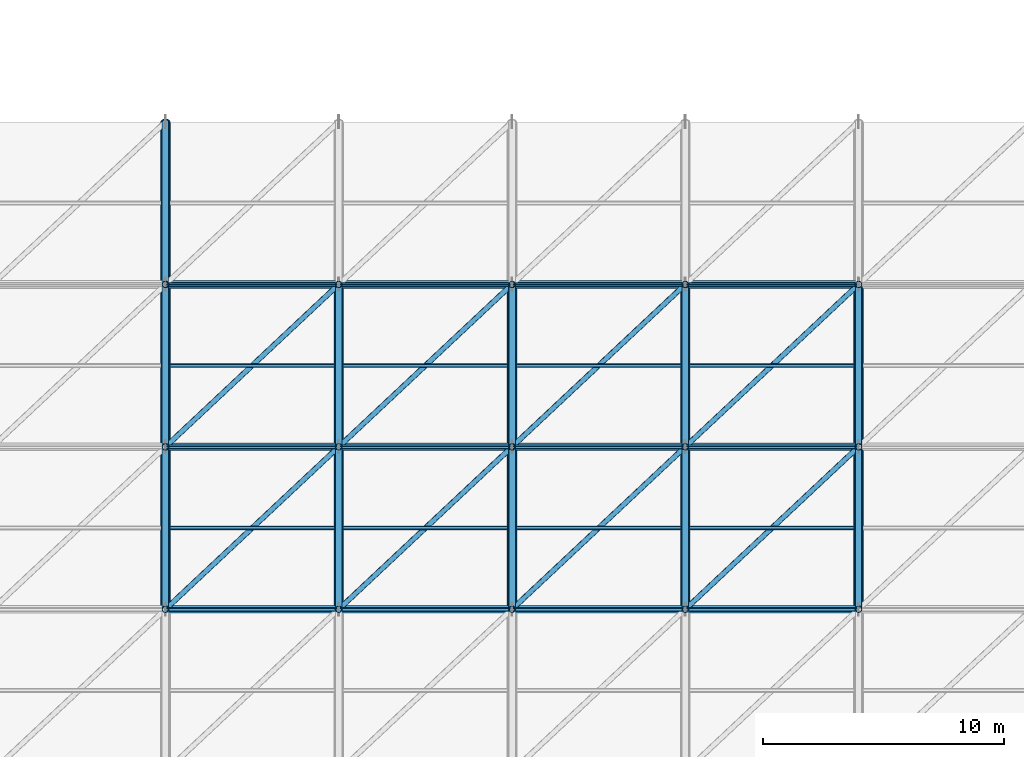
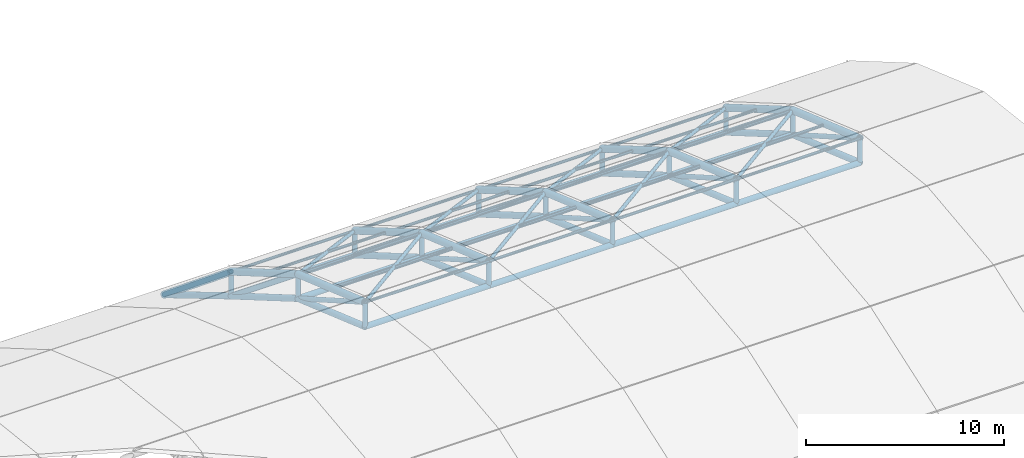
# One storey, part 11 of 72: 77 members, 11 beams.
"""IFC4 building model written with IfcOpenShell, lengths in metres."""

from ifc_helpers import new_model, si_unit, direction, frame, origin, origin_2d, place, context, subcontext, project, spatial, hollow_circle, extrude, material, material_profile, profile_set, type_object, element, save


model = new_model("IFC4")

# Units and contexts
model_context = context("Model", 3, precision=1e-05, world=origin(), true_north=direction((0.0, 1.0)))
body_context = subcontext(model_context, "Body", "Model", "MODEL_VIEW")
ifc_project = project(units=[si_unit("LENGTHUNIT", "METRE"), si_unit("AREAUNIT", "SQUARE_METRE"), si_unit("VOLUMEUNIT", "CUBIC_METRE"), si_unit("PLANEANGLEUNIT", "RADIAN"), si_unit("MASSUNIT", "GRAM", prefix="KILO")], contexts=[model_context])

# Site, building, storey
site_placement = place(None, origin())
site = spatial("IfcSite", under=ifc_project, at=site_placement, CompositionType="ELEMENT")
building_placement = place(site_placement, origin())
building = spatial("IfcBuilding", under=site, at=building_placement, Name="Vaelcorin Mobility Hub", CompositionType="ELEMENT")
storey_placement = place(building_placement, frame((0.0, 0.0, 25.800048828125)))
storey = spatial("IfcBuildingStorey", under=building, at=storey_placement, Name="RF", CompositionType="ELEMENT", Elevation=25.800048828125)

# Members
ifc_material = material(Name="Steel ASTM A500 Grade C", Category="steel")
ifc_material_profile_1 = material_profile(ifc_material, hollow_circle(Radius=0.161865234375, WallThickness=0.0126953125, at=origin_2d()), Name="HSS12.750X0.500")
ifc_profile_set_1 = profile_set([ifc_material_profile_1], Name="Steel ASTM A500 Grade C")
member_type_1 = type_object("IfcMemberType", Name="SF-CHORD-12", PredefinedType="CHORD", material=ifc_profile_set_1)
for number, where, z_axis, x_axis, name in (
    (1, (72.0, 39.75, -9.488037109375), (1.0, 0.0, 0.0), (0.0, 1.0, 0.0), "Space Frame Lower Longitudinal Chord 6-5"),
    (2, (72.0, 46.5, -11.85009765625), (1.0, 0.0, 0.0), (0.0, 1.0, 0.0), "Space Frame Lower Longitudinal Chord 6-6"),
    (3, (72.0, 53.25, -15.7880859375), (1.0, 0.0, 0.0), (0.0, 1.0, 0.0), "Space Frame Lower Longitudinal Chord 6-7"),
    (4, (79.199951171875, 39.75, -9.488037109375), (1.0, 0.0, 0.0), (0.0, 1.0, 0.0), "Space Frame Lower Longitudinal Chord 7-5"),
    (5, (79.199951171875, 46.5, -11.85009765625), (1.0, 0.0, 0.0), (0.0, 1.0, 0.0), "Space Frame Lower Longitudinal Chord 7-6"),
    (6, (79.199951171875, 53.25, -15.7880859375), (1.0, 0.0, 0.0), (0.0, 1.0, 0.0), "Space Frame Lower Longitudinal Chord 7-7"),
):
    element("IfcMember", number, at=place(storey_placement, frame(where, z_axis=z_axis, x_axis=x_axis)), inside=storey, type_object=member_type_1, Name=name, PredefinedType="CHORD", context=body_context, shape_type="SweptSolid", body=[
        extrude(hollow_circle(Radius=0.161865234375, WallThickness=0.0126953125, at=origin_2d()), origin(), (0.0, 0.0, 1.0), 7.199951171875),
    ])
for number, where, z_axis, x_axis, name in (
    (7, (86.39990234375, 39.75, -9.488037109375), (1.0, 0.0, 0.0), (0.0, 1.0, 0.0), "Space Frame Lower Longitudinal Chord 8-5"),
    (8, (86.39990234375, 46.5, -11.85009765625), (1.0, 0.0, 0.0), (0.0, 1.0, 0.0), "Space Frame Lower Longitudinal Chord 8-6"),
    (9, (86.39990234375, 53.25, -15.7880859375), (1.0, 0.0, 0.0), (0.0, 1.0, 0.0), "Space Frame Lower Longitudinal Chord 8-7"),
):
    element("IfcMember", number, at=place(storey_placement, frame(where, z_axis=z_axis, x_axis=x_axis)), inside=storey, type_object=member_type_1, Name=name, PredefinedType="CHORD", context=body_context, shape_type="SweptSolid", body=[
        extrude(hollow_circle(Radius=0.161865234375, WallThickness=0.0126953125, at=origin_2d()), origin(), (0.0, 0.0, 1.0), 7.2001953125),
    ])
for number, where, z_axis, x_axis, name in (
    (10, (93.60009765625, 39.75, -9.488037109375), (1.0, 0.0, 0.0), (0.0, 1.0, 0.0), "Space Frame Lower Longitudinal Chord 9-5"),
    (11, (93.60009765625, 46.5, -11.85009765625), (1.0, 0.0, 0.0), (0.0, 1.0, 0.0), "Space Frame Lower Longitudinal Chord 9-6"),
    (12, (93.60009765625, 53.25, -15.7880859375), (1.0, 0.0, 0.0), (0.0, 1.0, 0.0), "Space Frame Lower Longitudinal Chord 9-7"),
):
    element("IfcMember", number, at=place(storey_placement, frame(where, z_axis=z_axis, x_axis=x_axis)), inside=storey, type_object=member_type_1, Name=name, PredefinedType="CHORD", context=body_context, shape_type="SweptSolid", body=[
        extrude(hollow_circle(Radius=0.161865234375, WallThickness=0.0126953125, at=origin_2d()), origin(), (0.0, 0.0, 1.0), 7.199951171875),
    ])
ifc_material_profile_2 = material_profile(ifc_material, hollow_circle(Radius=0.177734375, WallThickness=0.0126953125, at=origin_2d()), Name="HSS14.000X0.500")
ifc_profile_set_2 = profile_set([ifc_material_profile_2], Name="Steel ASTM A500 Grade C")
member_type_2 = type_object("IfcMemberType", Name="SF-CHORD-14", PredefinedType="CHORD", material=ifc_profile_set_2)
member_1_placement = place(storey_placement, frame((72.0, 39.75, -9.488037109375), z_axis=(0.0, 0.943877515247, -0.330295679977), x_axis=(-1.0, 0.0, 0.0)))
element("IfcMember", 13, at=member_1_placement, inside=storey, type_object=member_type_2, Name="Space Frame Roof Truss Lower Chord 6-6", PredefinedType="CHORD", context=body_context, shape_type="SweptSolid", body=[
    extrude(hollow_circle(Radius=0.177734375, WallThickness=0.0126953125, at=origin_2d()), origin(), (0.0, 0.0, 1.0), 7.1513671875),
])
member_2_placement = place(storey_placement, frame((72.0, 46.5, -11.85009765625), z_axis=(0.0, 0.863751705385, -0.503917643514), x_axis=(-1.0, 0.0, 0.0)))
element("IfcMember", 14, at=member_2_placement, inside=storey, type_object=member_type_2, Name="Space Frame Roof Truss Lower Chord 6-7", PredefinedType="CHORD", context=body_context, shape_type="SweptSolid", body=[
    extrude(hollow_circle(Radius=0.177734375, WallThickness=0.0126953125, at=origin_2d()), origin(), (0.0, 0.0, 1.0), 7.814697265625),
])
member_3_placement = place(storey_placement, frame((72.0, 53.25, -15.7880859375), z_axis=(0.0, 0.859622623593, -0.510929491229), x_axis=(-1.0, 0.0, 0.0)))
element("IfcMember", 15, at=member_3_placement, inside=storey, type_object=member_type_2, Name="Space Frame Roof Truss Lower Chord 6-8", PredefinedType="CHORD", context=body_context, shape_type="SweptSolid", body=[
    extrude(hollow_circle(Radius=0.177734375, WallThickness=0.0126953125, at=origin_2d()), origin(), (0.0, 0.0, 1.0), 7.852294921875),
])
member_4_placement = place(storey_placement, frame((79.199951171875, 39.75, -9.488037109375), z_axis=(0.0, 0.943877515247, -0.330295679977), x_axis=(-1.0, 0.0, 0.0)))
element("IfcMember", 16, at=member_4_placement, inside=storey, type_object=member_type_2, Name="Space Frame Roof Truss Lower Chord 7-6", PredefinedType="CHORD", context=body_context, shape_type="SweptSolid", body=[
    extrude(hollow_circle(Radius=0.177734375, WallThickness=0.0126953125, at=origin_2d()), origin(), (0.0, 0.0, 1.0), 7.1513671875),
])
member_5_placement = place(storey_placement, frame((79.199951171875, 46.5, -11.85009765625), z_axis=(0.0, 0.863751705385, -0.503917643514), x_axis=(-1.0, 0.0, 0.0)))
element("IfcMember", 17, at=member_5_placement, inside=storey, type_object=member_type_2, Name="Space Frame Roof Truss Lower Chord 7-7", PredefinedType="CHORD", context=body_context, shape_type="SweptSolid", body=[
    extrude(hollow_circle(Radius=0.177734375, WallThickness=0.0126953125, at=origin_2d()), origin(), (0.0, 0.0, 1.0), 7.814697265625),
])
member_6_placement = place(storey_placement, frame((86.39990234375, 39.75, -9.488037109375), z_axis=(0.0, 0.943877515247, -0.330295679977), x_axis=(-1.0, 0.0, 0.0)))
element("IfcMember", 18, at=member_6_placement, inside=storey, type_object=member_type_2, Name="Space Frame Roof Truss Lower Chord 8-6", PredefinedType="CHORD", context=body_context, shape_type="SweptSolid", body=[
    extrude(hollow_circle(Radius=0.177734375, WallThickness=0.0126953125, at=origin_2d()), origin(), (0.0, 0.0, 1.0), 7.1513671875),
])
member_7_placement = place(storey_placement, frame((86.39990234375, 46.5, -11.85009765625), z_axis=(0.0, 0.863751705385, -0.503917643514), x_axis=(-1.0, 0.0, 0.0)))
element("IfcMember", 19, at=member_7_placement, inside=storey, type_object=member_type_2, Name="Space Frame Roof Truss Lower Chord 8-7", PredefinedType="CHORD", context=body_context, shape_type="SweptSolid", body=[
    extrude(hollow_circle(Radius=0.177734375, WallThickness=0.0126953125, at=origin_2d()), origin(), (0.0, 0.0, 1.0), 7.814697265625),
])
member_8_placement = place(storey_placement, frame((93.60009765625, 39.75, -9.488037109375), z_axis=(0.0, 0.943877515247, -0.330295679977), x_axis=(-1.0, 0.0, 0.0)))
element("IfcMember", 20, at=member_8_placement, inside=storey, type_object=member_type_2, Name="Space Frame Roof Truss Lower Chord 9-6", PredefinedType="CHORD", context=body_context, shape_type="SweptSolid", body=[
    extrude(hollow_circle(Radius=0.177734375, WallThickness=0.0126953125, at=origin_2d()), origin(), (0.0, 0.0, 1.0), 7.1513671875),
])
member_9_placement = place(storey_placement, frame((93.60009765625, 46.5, -11.85009765625), z_axis=(0.0, 0.863751705385, -0.503917643514), x_axis=(-1.0, 0.0, 0.0)))
element("IfcMember", 21, at=member_9_placement, inside=storey, type_object=member_type_2, Name="Space Frame Roof Truss Lower Chord 9-7", PredefinedType="CHORD", context=body_context, shape_type="SweptSolid", body=[
    extrude(hollow_circle(Radius=0.177734375, WallThickness=0.0126953125, at=origin_2d()), origin(), (0.0, 0.0, 1.0), 7.814697265625),
])
member_10_placement = place(storey_placement, frame((100.800048828125, 39.75, -9.488037109375), z_axis=(0.0, 0.943877515247, -0.330295679977), x_axis=(-1.0, 0.0, 0.0)))
element("IfcMember", 22, at=member_10_placement, inside=storey, type_object=member_type_2, Name="Space Frame Roof Truss Lower Chord 10-6", PredefinedType="CHORD", context=body_context, shape_type="SweptSolid", body=[
    extrude(hollow_circle(Radius=0.177734375, WallThickness=0.0126953125, at=origin_2d()), origin(), (0.0, 0.0, 1.0), 7.1513671875),
])
member_11_placement = place(storey_placement, frame((100.800048828125, 46.5, -11.85009765625), z_axis=(0.0, 0.863751705385, -0.503917643514), x_axis=(-1.0, 0.0, 0.0)))
element("IfcMember", 23, at=member_11_placement, inside=storey, type_object=member_type_2, Name="Space Frame Roof Truss Lower Chord 10-7", PredefinedType="CHORD", context=body_context, shape_type="SweptSolid", body=[
    extrude(hollow_circle(Radius=0.177734375, WallThickness=0.0126953125, at=origin_2d()), origin(), (0.0, 0.0, 1.0), 7.814697265625),
])
ifc_material_profile_3 = material_profile(ifc_material, hollow_circle(Radius=0.136474609375, WallThickness=0.0126953125, at=origin_2d()), Name="HSS10.750X0.500")
ifc_profile_set_3 = profile_set([ifc_material_profile_3], Name="Steel ASTM A500 Grade C")
member_type_3 = type_object("IfcMemberType", Name="SF-DIAG-10", PredefinedType="BRACE", material=ifc_profile_set_3)
member_12_placement = place(storey_placement, frame((72.0, 39.75, -7.988037109375), z_axis=(0.0, 0.867970611296, -0.496615563516), x_axis=(-1.0, 0.0, 0.0)))
element("IfcMember", 24, at=member_12_placement, inside=storey, type_object=member_type_3, Name="Space Frame Roof Truss Web Diagonal 6-6", PredefinedType="BRACE", context=body_context, shape_type="SweptSolid", body=[
    extrude(hollow_circle(Radius=0.136474609375, WallThickness=0.0126953125, at=origin_2d()), origin(), (0.0, 0.0, 1.0), 7.77685546875),
])
member_13_placement = place(storey_placement, frame((72.0, 46.5, -10.35009765625), z_axis=(0.0, 0.778726388415, -0.627363699926), x_axis=(-1.0, 0.0, 0.0)))
element("IfcMember", 25, at=member_13_placement, inside=storey, type_object=member_type_3, Name="Space Frame Roof Truss Web Diagonal 6-7", PredefinedType="BRACE", context=body_context, shape_type="SweptSolid", body=[
    extrude(hollow_circle(Radius=0.136474609375, WallThickness=0.0126953125, at=origin_2d()), origin(), (0.0, 0.0, 1.0), 8.66796875),
])
member_14_placement = place(storey_placement, frame((72.0, 53.25, -14.2880859375), z_axis=(0.0, 0.774562321982, -0.632497596332), x_axis=(-1.0, 0.0, 0.0)))
element("IfcMember", 26, at=member_14_placement, inside=storey, type_object=member_type_3, Name="Space Frame Roof Truss Web Diagonal 6-8", PredefinedType="BRACE", context=body_context, shape_type="SweptSolid", body=[
    extrude(hollow_circle(Radius=0.136474609375, WallThickness=0.0126953125, at=origin_2d()), origin(), (0.0, 0.0, 1.0), 8.714599609375),
])
member_15_placement = place(storey_placement, frame((79.199951171875, 39.75, -7.988037109375), z_axis=(0.0, 0.867970611296, -0.496615563516), x_axis=(-1.0, 0.0, 0.0)))
element("IfcMember", 27, at=member_15_placement, inside=storey, type_object=member_type_3, Name="Space Frame Roof Truss Web Diagonal 7-6", PredefinedType="BRACE", context=body_context, shape_type="SweptSolid", body=[
    extrude(hollow_circle(Radius=0.136474609375, WallThickness=0.0126953125, at=origin_2d()), origin(), (0.0, 0.0, 1.0), 7.77685546875),
])
member_16_placement = place(storey_placement, frame((79.199951171875, 46.5, -10.35009765625), z_axis=(0.0, 0.778726388415, -0.627363699926), x_axis=(-1.0, 0.0, 0.0)))
element("IfcMember", 28, at=member_16_placement, inside=storey, type_object=member_type_3, Name="Space Frame Roof Truss Web Diagonal 7-7", PredefinedType="BRACE", context=body_context, shape_type="SweptSolid", body=[
    extrude(hollow_circle(Radius=0.136474609375, WallThickness=0.0126953125, at=origin_2d()), origin(), (0.0, 0.0, 1.0), 8.66796875),
])
member_17_placement = place(storey_placement, frame((86.39990234375, 39.75, -7.988037109375), z_axis=(0.0, 0.867970611296, -0.496615563516), x_axis=(-1.0, 0.0, 0.0)))
element("IfcMember", 29, at=member_17_placement, inside=storey, type_object=member_type_3, Name="Space Frame Roof Truss Web Diagonal 8-6", PredefinedType="BRACE", context=body_context, shape_type="SweptSolid", body=[
    extrude(hollow_circle(Radius=0.136474609375, WallThickness=0.0126953125, at=origin_2d()), origin(), (0.0, 0.0, 1.0), 7.77685546875),
])
member_18_placement = place(storey_placement, frame((86.39990234375, 46.5, -10.35009765625), z_axis=(0.0, 0.778726388415, -0.627363699926), x_axis=(-1.0, 0.0, 0.0)))
element("IfcMember", 30, at=member_18_placement, inside=storey, type_object=member_type_3, Name="Space Frame Roof Truss Web Diagonal 8-7", PredefinedType="BRACE", context=body_context, shape_type="SweptSolid", body=[
    extrude(hollow_circle(Radius=0.136474609375, WallThickness=0.0126953125, at=origin_2d()), origin(), (0.0, 0.0, 1.0), 8.66796875),
])
member_19_placement = place(storey_placement, frame((93.60009765625, 39.75, -7.988037109375), z_axis=(0.0, 0.867970611296, -0.496615563516), x_axis=(-1.0, 0.0, 0.0)))
element("IfcMember", 31, at=member_19_placement, inside=storey, type_object=member_type_3, Name="Space Frame Roof Truss Web Diagonal 9-6", PredefinedType="BRACE", context=body_context, shape_type="SweptSolid", body=[
    extrude(hollow_circle(Radius=0.136474609375, WallThickness=0.0126953125, at=origin_2d()), origin(), (0.0, 0.0, 1.0), 7.77685546875),
])
member_20_placement = place(storey_placement, frame((93.60009765625, 46.5, -10.35009765625), z_axis=(0.0, 0.778726388415, -0.627363699926), x_axis=(-1.0, 0.0, 0.0)))
element("IfcMember", 32, at=member_20_placement, inside=storey, type_object=member_type_3, Name="Space Frame Roof Truss Web Diagonal 9-7", PredefinedType="BRACE", context=body_context, shape_type="SweptSolid", body=[
    extrude(hollow_circle(Radius=0.136474609375, WallThickness=0.0126953125, at=origin_2d()), origin(), (0.0, 0.0, 1.0), 8.66796875),
])
member_21_placement = place(storey_placement, frame((100.800048828125, 39.75, -7.988037109375), z_axis=(0.0, 0.867970611296, -0.496615563516), x_axis=(-1.0, 0.0, 0.0)))
element("IfcMember", 33, at=member_21_placement, inside=storey, type_object=member_type_3, Name="Space Frame Roof Truss Web Diagonal 10-6", PredefinedType="BRACE", context=body_context, shape_type="SweptSolid", body=[
    extrude(hollow_circle(Radius=0.136474609375, WallThickness=0.0126953125, at=origin_2d()), origin(), (0.0, 0.0, 1.0), 7.77685546875),
])
member_22_placement = place(storey_placement, frame((100.800048828125, 46.5, -10.35009765625), z_axis=(0.0, 0.778726388415, -0.627363699926), x_axis=(-1.0, 0.0, 0.0)))
element("IfcMember", 34, at=member_22_placement, inside=storey, type_object=member_type_3, Name="Space Frame Roof Truss Web Diagonal 10-7", PredefinedType="BRACE", context=body_context, shape_type="SweptSolid", body=[
    extrude(hollow_circle(Radius=0.136474609375, WallThickness=0.0126953125, at=origin_2d()), origin(), (0.0, 0.0, 1.0), 8.66796875),
])
ifc_material_profile_4 = material_profile(ifc_material, hollow_circle(Radius=0.109619140625, WallThickness=0.009521484375, at=origin_2d()), Name="HSS8.625X0.375")
ifc_profile_set_4 = profile_set([ifc_material_profile_4], Name="Steel ASTM A500 Grade C")
member_type_4 = type_object("IfcMemberType", Name="SF-DIAG-8", PredefinedType="BRACE", material=ifc_profile_set_4)
member_23_placement = place(storey_placement, frame((72.0, 39.75, -7.988037109375), z_axis=(0.709497274068, 0.665158205331, -0.232762067295), x_axis=(-0.683943597489, 0.729534889813, 0.0)))
element("IfcMember", 35, at=member_23_placement, inside=storey, type_object=member_type_4, Name="Space Frame Bracing Diagonal 6-6", PredefinedType="BRACE", context=body_context, shape_type="SweptSolid", body=[
    extrude(hollow_circle(Radius=0.109619140625, WallThickness=0.009521484375, at=origin_2d()), origin(), (0.0, 0.0, 1.0), 10.14794921875),
])
member_24_placement = place(storey_placement, frame((72.0, 46.5, -10.35009765625), z_axis=(0.677585674596, 0.635240877937, -0.370603130828), x_axis=(-0.683943597489, 0.729534889813, 0.0)))
element("IfcMember", 36, at=member_24_placement, inside=storey, type_object=member_type_4, Name="Space Frame Bracing Diagonal 6-7", PredefinedType="BRACE", context=body_context, shape_type="SweptSolid", body=[
    extrude(hollow_circle(Radius=0.109619140625, WallThickness=0.009521484375, at=origin_2d()), origin(), (0.0, 0.0, 1.0), 10.6259765625),
])
member_25_placement = place(storey_placement, frame((79.199951171875, 39.75, -7.988037109375), z_axis=(0.709497274068, 0.665158205331, -0.232762067295), x_axis=(-0.683943597489, 0.729534889813, 0.0)))
element("IfcMember", 37, at=member_25_placement, inside=storey, type_object=member_type_4, Name="Space Frame Bracing Diagonal 7-6", PredefinedType="BRACE", context=body_context, shape_type="SweptSolid", body=[
    extrude(hollow_circle(Radius=0.109619140625, WallThickness=0.009521484375, at=origin_2d()), origin(), (0.0, 0.0, 1.0), 10.14794921875),
])
member_26_placement = place(storey_placement, frame((79.199951171875, 46.5, -10.35009765625), z_axis=(0.677585674596, 0.635240877937, -0.370603130828), x_axis=(-0.683943597489, 0.729534889813, 0.0)))
element("IfcMember", 38, at=member_26_placement, inside=storey, type_object=member_type_4, Name="Space Frame Bracing Diagonal 7-7", PredefinedType="BRACE", context=body_context, shape_type="SweptSolid", body=[
    extrude(hollow_circle(Radius=0.109619140625, WallThickness=0.009521484375, at=origin_2d()), origin(), (0.0, 0.0, 1.0), 10.6259765625),
])
member_27_placement = place(storey_placement, frame((86.39990234375, 39.75, -7.988037109375), z_axis=(0.709509221339, 0.665146851742, -0.232758094278), x_axis=(-0.683931254551, 0.729546461199, 0.0)))
element("IfcMember", 39, at=member_27_placement, inside=storey, type_object=member_type_4, Name="Space Frame Bracing Diagonal 8-6", PredefinedType="BRACE", context=body_context, shape_type="SweptSolid", body=[
    extrude(hollow_circle(Radius=0.109619140625, WallThickness=0.009521484375, at=origin_2d()), origin(), (0.0, 0.0, 1.0), 10.148193359375),
])
member_28_placement = place(storey_placement, frame((86.39990234375, 46.5, -10.35009765625), z_axis=(0.67759810152, 0.635230988431, -0.370597361234), x_axis=(-0.683931254551, 0.729546461199, 0.0)))
element("IfcMember", 40, at=member_28_placement, inside=storey, type_object=member_type_4, Name="Space Frame Bracing Diagonal 8-7", PredefinedType="BRACE", context=body_context, shape_type="SweptSolid", body=[
    extrude(hollow_circle(Radius=0.109619140625, WallThickness=0.009521484375, at=origin_2d()), origin(), (0.0, 0.0, 1.0), 10.6259765625),
])
member_29_placement = place(storey_placement, frame((93.60009765625, 39.75, -7.988037109375), z_axis=(0.709497274068, 0.665158205331, -0.232762067295), x_axis=(-0.683943597489, 0.729534889813, 0.0)))
element("IfcMember", 41, at=member_29_placement, inside=storey, type_object=member_type_4, Name="Space Frame Bracing Diagonal 9-6", PredefinedType="BRACE", context=body_context, shape_type="SweptSolid", body=[
    extrude(hollow_circle(Radius=0.109619140625, WallThickness=0.009521484375, at=origin_2d()), origin(), (0.0, 0.0, 1.0), 10.14794921875),
])
member_30_placement = place(storey_placement, frame((93.60009765625, 46.5, -10.35009765625), z_axis=(0.677585674596, 0.635240877937, -0.370603130828), x_axis=(-0.683943597489, 0.729534889813, 0.0)))
element("IfcMember", 42, at=member_30_placement, inside=storey, type_object=member_type_4, Name="Space Frame Bracing Diagonal 9-7", PredefinedType="BRACE", context=body_context, shape_type="SweptSolid", body=[
    extrude(hollow_circle(Radius=0.109619140625, WallThickness=0.009521484375, at=origin_2d()), origin(), (0.0, 0.0, 1.0), 10.6259765625),
])
ifc_material_profile_5 = material_profile(ifc_material, hollow_circle(Radius=0.136474609375, WallThickness=0.0126953125, at=origin_2d()), Name="HSS10.750X0.500")
ifc_profile_set_5 = profile_set([ifc_material_profile_5], Name="Steel ASTM A500 Grade C")
member_type_5 = type_object("IfcMemberType", Name="SF-POST-10", PredefinedType="POST", material=ifc_profile_set_5)
for number, where, z_axis, x_axis, name in (
    (43, (72.0, 39.75, -9.488037109375), (0.0, 0.0, 1.0), (1.0, 0.0, 0.0), "Space Frame Roof Truss Post 6-5"),
    (44, (72.0, 46.5, -11.85009765625), (0.0, 0.0, 1.0), (1.0, 0.0, 0.0), "Space Frame Roof Truss Post 6-6"),
    (45, (72.0, 53.25, -15.7880859375), (0.0, 0.0, 1.0), (1.0, 0.0, 0.0), "Space Frame Roof Truss Post 6-7"),
    (46, (79.199951171875, 39.75, -9.488037109375), (0.0, 0.0, 1.0), (1.0, 0.0, 0.0), "Space Frame Roof Truss Post 7-5"),
    (47, (79.199951171875, 46.5, -11.85009765625), (0.0, 0.0, 1.0), (1.0, 0.0, 0.0), "Space Frame Roof Truss Post 7-6"),
    (48, (79.199951171875, 53.25, -15.7880859375), (0.0, 0.0, 1.0), (1.0, 0.0, 0.0), "Space Frame Roof Truss Post 7-7"),
    (49, (86.39990234375, 39.75, -9.488037109375), (0.0, 0.0, 1.0), (1.0, 0.0, 0.0), "Space Frame Roof Truss Post 8-5"),
    (50, (86.39990234375, 46.5, -11.85009765625), (0.0, 0.0, 1.0), (1.0, 0.0, 0.0), "Space Frame Roof Truss Post 8-6"),
    (51, (86.39990234375, 53.25, -15.7880859375), (0.0, 0.0, 1.0), (1.0, 0.0, 0.0), "Space Frame Roof Truss Post 8-7"),
    (52, (93.60009765625, 39.75, -9.488037109375), (0.0, 0.0, 1.0), (1.0, 0.0, 0.0), "Space Frame Roof Truss Post 9-5"),
    (53, (93.60009765625, 46.5, -11.85009765625), (0.0, 0.0, 1.0), (1.0, 0.0, 0.0), "Space Frame Roof Truss Post 9-6"),
    (54, (93.60009765625, 53.25, -15.7880859375), (0.0, 0.0, 1.0), (1.0, 0.0, 0.0), "Space Frame Roof Truss Post 9-7"),
    (55, (100.800048828125, 39.75, -9.488037109375), (0.0, 0.0, 1.0), (1.0, 0.0, 0.0), "Space Frame Roof Truss Post 10-5"),
    (56, (100.800048828125, 46.5, -11.85009765625), (0.0, 0.0, 1.0), (1.0, 0.0, 0.0), "Space Frame Roof Truss Post 10-6"),
    (57, (100.800048828125, 53.25, -15.7880859375), (0.0, 0.0, 1.0), (1.0, 0.0, 0.0), "Space Frame Roof Truss Post 10-7"),
):
    element("IfcMember", number, at=place(storey_placement, frame(where, z_axis=z_axis, x_axis=x_axis)), inside=storey, type_object=member_type_5, Name=name, PredefinedType="POST", context=body_context, shape_type="SweptSolid", body=[
        extrude(hollow_circle(Radius=0.136474609375, WallThickness=0.0126953125, at=origin_2d()), origin(), (0.0, 0.0, 1.0), 1.5),
    ])
ifc_material_profile_6 = material_profile(ifc_material, hollow_circle(Radius=0.084228515625, WallThickness=0.0078125, at=origin_2d()), Name="HSS6.625X0.312")
ifc_profile_set_6 = profile_set([ifc_material_profile_6], Name="Steel ASTM A500 Grade C")
member_type_6 = type_object("IfcMemberType", Name="SF-PURL-6", PredefinedType="PURLIN", material=ifc_profile_set_6)
for number, where, z_axis, x_axis, name in (
    (58, (72.0, 39.75, -7.988037109375), (1.0, 0.0, 0.0), (0.0, 1.0, 0.0), "Space Frame Longitudinal Chord 6-5"),
    (59, (72.0, 46.5, -10.35009765625), (1.0, 0.0, 0.0), (0.0, 1.0, 0.0), "Space Frame Longitudinal Chord 6-6"),
    (60, (72.0, 53.25, -14.2880859375), (1.0, 0.0, 0.0), (0.0, 1.0, 0.0), "Space Frame Longitudinal Chord 6-7"),
):
    element("IfcMember", number, at=place(storey_placement, frame(where, z_axis=z_axis, x_axis=x_axis)), inside=storey, type_object=member_type_6, Name=name, PredefinedType="PURLIN", context=body_context, shape_type="SweptSolid", body=[
        extrude(hollow_circle(Radius=0.084228515625, WallThickness=0.0078125, at=origin_2d()), origin(), (0.0, 0.0, 1.0), 7.199951171875),
    ])
for number, where, z_axis, x_axis, name in (
    (61, (72.179931640625, 43.125, -9.1689453125), (1.0, 0.0, 0.0), (0.0, 1.0, 0.0), "Space Frame Secondary Purlin 6-6"),
    (62, (72.179931640625, 49.875, -12.319091796875), (1.0, 0.0, 0.0), (0.0, 1.0, 0.0), "Space Frame Secondary Purlin 6-7"),
):
    element("IfcMember", number, at=place(storey_placement, frame(where, z_axis=z_axis, x_axis=x_axis)), inside=storey, type_object=member_type_6, Name=name, PredefinedType="PURLIN", context=body_context, shape_type="SweptSolid", body=[
        extrude(hollow_circle(Radius=0.084228515625, WallThickness=0.0078125, at=origin_2d()), origin(), (0.0, 0.0, 1.0), 6.840087890625),
    ])
for number, where, z_axis, x_axis, name in (
    (63, (79.199951171875, 39.75, -7.988037109375), (1.0, 0.0, 0.0), (0.0, 1.0, 0.0), "Space Frame Longitudinal Chord 7-5"),
    (64, (79.199951171875, 46.5, -10.35009765625), (1.0, 0.0, 0.0), (0.0, 1.0, 0.0), "Space Frame Longitudinal Chord 7-6"),
    (65, (79.199951171875, 53.25, -14.2880859375), (1.0, 0.0, 0.0), (0.0, 1.0, 0.0), "Space Frame Longitudinal Chord 7-7"),
):
    element("IfcMember", number, at=place(storey_placement, frame(where, z_axis=z_axis, x_axis=x_axis)), inside=storey, type_object=member_type_6, Name=name, PredefinedType="PURLIN", context=body_context, shape_type="SweptSolid", body=[
        extrude(hollow_circle(Radius=0.084228515625, WallThickness=0.0078125, at=origin_2d()), origin(), (0.0, 0.0, 1.0), 7.199951171875),
    ])
for number, where, z_axis, x_axis, name in (
    (66, (79.3798828125, 43.125, -9.1689453125), (1.0, 0.0, 0.0), (0.0, 1.0, 0.0), "Space Frame Secondary Purlin 7-6"),
    (67, (79.3798828125, 49.875, -12.319091796875), (1.0, 0.0, 0.0), (0.0, 1.0, 0.0), "Space Frame Secondary Purlin 7-7"),
):
    element("IfcMember", number, at=place(storey_placement, frame(where, z_axis=z_axis, x_axis=x_axis)), inside=storey, type_object=member_type_6, Name=name, PredefinedType="PURLIN", context=body_context, shape_type="SweptSolid", body=[
        extrude(hollow_circle(Radius=0.084228515625, WallThickness=0.0078125, at=origin_2d()), origin(), (0.0, 0.0, 1.0), 6.840087890625),
    ])
for number, where, z_axis, x_axis, name in (
    (68, (86.39990234375, 39.75, -7.988037109375), (1.0, 0.0, 0.0), (0.0, 1.0, 0.0), "Space Frame Longitudinal Chord 8-5"),
    (69, (86.39990234375, 46.5, -10.35009765625), (1.0, 0.0, 0.0), (0.0, 1.0, 0.0), "Space Frame Longitudinal Chord 8-6"),
    (70, (86.39990234375, 53.25, -14.2880859375), (1.0, 0.0, 0.0), (0.0, 1.0, 0.0), "Space Frame Longitudinal Chord 8-7"),
):
    element("IfcMember", number, at=place(storey_placement, frame(where, z_axis=z_axis, x_axis=x_axis)), inside=storey, type_object=member_type_6, Name=name, PredefinedType="PURLIN", context=body_context, shape_type="SweptSolid", body=[
        extrude(hollow_circle(Radius=0.084228515625, WallThickness=0.0078125, at=origin_2d()), origin(), (0.0, 0.0, 1.0), 7.2001953125),
    ])
for number, where, z_axis, x_axis, name in (
    (71, (86.580078125, 43.125, -9.1689453125), (1.0, 0.0, 0.0), (0.0, 1.0, 0.0), "Space Frame Secondary Purlin 8-6"),
    (72, (86.580078125, 49.875, -12.319091796875), (1.0, 0.0, 0.0), (0.0, 1.0, 0.0), "Space Frame Secondary Purlin 8-7"),
):
    element("IfcMember", number, at=place(storey_placement, frame(where, z_axis=z_axis, x_axis=x_axis)), inside=storey, type_object=member_type_6, Name=name, PredefinedType="PURLIN", context=body_context, shape_type="SweptSolid", body=[
        extrude(hollow_circle(Radius=0.084228515625, WallThickness=0.0078125, at=origin_2d()), origin(), (0.0, 0.0, 1.0), 6.83984375),
    ])
for number, where, z_axis, x_axis, name in (
    (73, (93.60009765625, 39.75, -7.988037109375), (1.0, 0.0, 0.0), (0.0, 1.0, 0.0), "Space Frame Longitudinal Chord 9-5"),
    (74, (93.60009765625, 46.5, -10.35009765625), (1.0, 0.0, 0.0), (0.0, 1.0, 0.0), "Space Frame Longitudinal Chord 9-6"),
    (75, (93.60009765625, 53.25, -14.2880859375), (1.0, 0.0, 0.0), (0.0, 1.0, 0.0), "Space Frame Longitudinal Chord 9-7"),
):
    element("IfcMember", number, at=place(storey_placement, frame(where, z_axis=z_axis, x_axis=x_axis)), inside=storey, type_object=member_type_6, Name=name, PredefinedType="PURLIN", context=body_context, shape_type="SweptSolid", body=[
        extrude(hollow_circle(Radius=0.084228515625, WallThickness=0.0078125, at=origin_2d()), origin(), (0.0, 0.0, 1.0), 7.199951171875),
    ])
for number, where, z_axis, x_axis, name in (
    (76, (93.780029296875, 43.125, -9.1689453125), (1.0, 0.0, 0.0), (0.0, 1.0, 0.0), "Space Frame Secondary Purlin 9-6"),
    (77, (93.780029296875, 49.875, -12.319091796875), (1.0, 0.0, 0.0), (0.0, 1.0, 0.0), "Space Frame Secondary Purlin 9-7"),
):
    element("IfcMember", number, at=place(storey_placement, frame(where, z_axis=z_axis, x_axis=x_axis)), inside=storey, type_object=member_type_6, Name=name, PredefinedType="PURLIN", context=body_context, shape_type="SweptSolid", body=[
        extrude(hollow_circle(Radius=0.084228515625, WallThickness=0.0078125, at=origin_2d()), origin(), (0.0, 0.0, 1.0), 6.840087890625),
    ])

# Beams
ifc_material_profile_7 = material_profile(ifc_material, hollow_circle(Radius=0.203125, WallThickness=0.015869140625, at=origin_2d()), Name="HSS16.000X0.625")
ifc_profile_set_7 = profile_set([ifc_material_profile_7], Name="Steel ASTM A500 Grade C")
beam_type = type_object("IfcBeamType", Name="TR-CHORD-16", PredefinedType="BEAM", material=ifc_profile_set_7)
beam_1_placement = place(storey_placement, frame((72.0, 39.75, -7.988037109375), z_axis=(0.0, 0.943877515247, -0.330295679977), x_axis=(-1.0, 0.0, 0.0)))
element("IfcBeam", 78, at=beam_1_placement, inside=storey, type_object=beam_type, Name="Space Frame Roof Truss Upper Chord 6-6", PredefinedType="BEAM", context=body_context, shape_type="SweptSolid", body=[
    extrude(hollow_circle(Radius=0.203125, WallThickness=0.015869140625, at=origin_2d()), origin(), (0.0, 0.0, 1.0), 7.1513671875),
])
beam_2_placement = place(storey_placement, frame((72.0, 46.5, -10.35009765625), z_axis=(0.0, 0.863751705385, -0.503917643514), x_axis=(-1.0, 0.0, 0.0)))
element("IfcBeam", 79, at=beam_2_placement, inside=storey, type_object=beam_type, Name="Space Frame Roof Truss Upper Chord 6-7", PredefinedType="BEAM", context=body_context, shape_type="SweptSolid", body=[
    extrude(hollow_circle(Radius=0.203125, WallThickness=0.015869140625, at=origin_2d()), origin(), (0.0, 0.0, 1.0), 7.814697265625),
])
beam_3_placement = place(storey_placement, frame((72.0, 53.25, -14.2880859375), z_axis=(0.0, 0.774562321982, -0.632497596332), x_axis=(-1.0, 0.0, 0.0)))
element("IfcBeam", 80, at=beam_3_placement, inside=storey, type_object=beam_type, Name="Space Frame Roof Truss Upper Chord 6-8", PredefinedType="BEAM", context=body_context, shape_type="SweptSolid", body=[
    extrude(hollow_circle(Radius=0.203125, WallThickness=0.015869140625, at=origin_2d()), origin(), (0.0, 0.0, 1.0), 8.714599609375),
])
beam_4_placement = place(storey_placement, frame((79.199951171875, 39.75, -7.988037109375), z_axis=(0.0, 0.943877515247, -0.330295679977), x_axis=(-1.0, 0.0, 0.0)))
element("IfcBeam", 81, at=beam_4_placement, inside=storey, type_object=beam_type, Name="Space Frame Roof Truss Upper Chord 7-6", PredefinedType="BEAM", context=body_context, shape_type="SweptSolid", body=[
    extrude(hollow_circle(Radius=0.203125, WallThickness=0.015869140625, at=origin_2d()), origin(), (0.0, 0.0, 1.0), 7.1513671875),
])
beam_5_placement = place(storey_placement, frame((79.199951171875, 46.5, -10.35009765625), z_axis=(0.0, 0.863751705385, -0.503917643514), x_axis=(-1.0, 0.0, 0.0)))
element("IfcBeam", 82, at=beam_5_placement, inside=storey, type_object=beam_type, Name="Space Frame Roof Truss Upper Chord 7-7", PredefinedType="BEAM", context=body_context, shape_type="SweptSolid", body=[
    extrude(hollow_circle(Radius=0.203125, WallThickness=0.015869140625, at=origin_2d()), origin(), (0.0, 0.0, 1.0), 7.814697265625),
])
beam_6_placement = place(storey_placement, frame((86.39990234375, 39.75, -7.988037109375), z_axis=(0.0, 0.943877515247, -0.330295679977), x_axis=(-1.0, 0.0, 0.0)))
element("IfcBeam", 83, at=beam_6_placement, inside=storey, type_object=beam_type, Name="Space Frame Roof Truss Upper Chord 8-6", PredefinedType="BEAM", context=body_context, shape_type="SweptSolid", body=[
    extrude(hollow_circle(Radius=0.203125, WallThickness=0.015869140625, at=origin_2d()), origin(), (0.0, 0.0, 1.0), 7.1513671875),
])
beam_7_placement = place(storey_placement, frame((86.39990234375, 46.5, -10.35009765625), z_axis=(0.0, 0.863751705385, -0.503917643514), x_axis=(-1.0, 0.0, 0.0)))
element("IfcBeam", 84, at=beam_7_placement, inside=storey, type_object=beam_type, Name="Space Frame Roof Truss Upper Chord 8-7", PredefinedType="BEAM", context=body_context, shape_type="SweptSolid", body=[
    extrude(hollow_circle(Radius=0.203125, WallThickness=0.015869140625, at=origin_2d()), origin(), (0.0, 0.0, 1.0), 7.814697265625),
])
beam_8_placement = place(storey_placement, frame((93.60009765625, 39.75, -7.988037109375), z_axis=(0.0, 0.943877515247, -0.330295679977), x_axis=(-1.0, 0.0, 0.0)))
element("IfcBeam", 85, at=beam_8_placement, inside=storey, type_object=beam_type, Name="Space Frame Roof Truss Upper Chord 9-6", PredefinedType="BEAM", context=body_context, shape_type="SweptSolid", body=[
    extrude(hollow_circle(Radius=0.203125, WallThickness=0.015869140625, at=origin_2d()), origin(), (0.0, 0.0, 1.0), 7.1513671875),
])
beam_9_placement = place(storey_placement, frame((93.60009765625, 46.5, -10.35009765625), z_axis=(0.0, 0.863751705385, -0.503917643514), x_axis=(-1.0, 0.0, 0.0)))
element("IfcBeam", 86, at=beam_9_placement, inside=storey, type_object=beam_type, Name="Space Frame Roof Truss Upper Chord 9-7", PredefinedType="BEAM", context=body_context, shape_type="SweptSolid", body=[
    extrude(hollow_circle(Radius=0.203125, WallThickness=0.015869140625, at=origin_2d()), origin(), (0.0, 0.0, 1.0), 7.814697265625),
])
beam_10_placement = place(storey_placement, frame((100.800048828125, 39.75, -7.988037109375), z_axis=(0.0, 0.943877515247, -0.330295679977), x_axis=(-1.0, 0.0, 0.0)))
element("IfcBeam", 87, at=beam_10_placement, inside=storey, type_object=beam_type, Name="Space Frame Roof Truss Upper Chord 10-6", PredefinedType="BEAM", context=body_context, shape_type="SweptSolid", body=[
    extrude(hollow_circle(Radius=0.203125, WallThickness=0.015869140625, at=origin_2d()), origin(), (0.0, 0.0, 1.0), 7.1513671875),
])
beam_11_placement = place(storey_placement, frame((100.800048828125, 46.5, -10.35009765625), z_axis=(0.0, 0.863751705385, -0.503917643514), x_axis=(-1.0, 0.0, 0.0)))
element("IfcBeam", 88, at=beam_11_placement, inside=storey, type_object=beam_type, Name="Space Frame Roof Truss Upper Chord 10-7", PredefinedType="BEAM", context=body_context, shape_type="SweptSolid", body=[
    extrude(hollow_circle(Radius=0.203125, WallThickness=0.015869140625, at=origin_2d()), origin(), (0.0, 0.0, 1.0), 7.814697265625),
])

save(model, "model.ifc")
